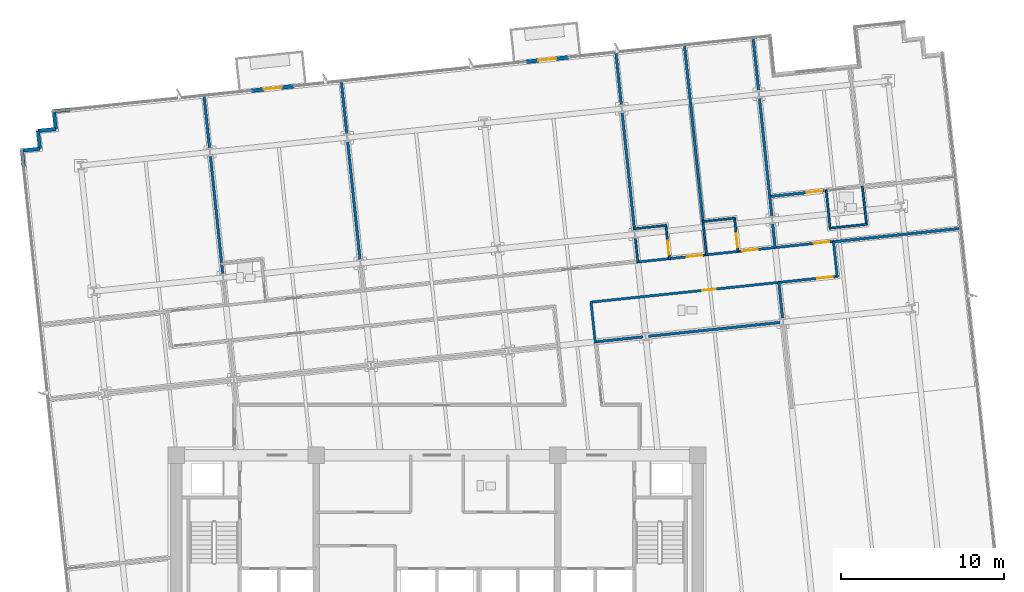
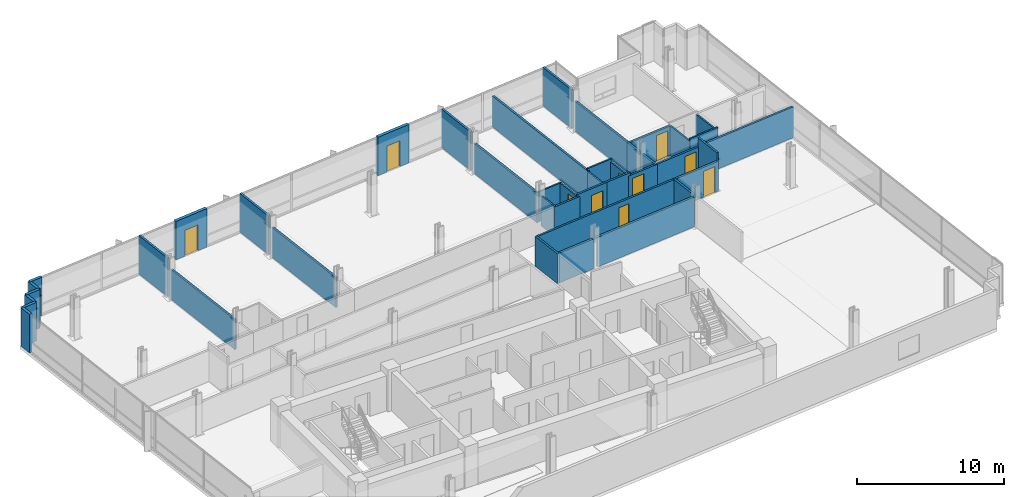
# One storey, part 15 of 20: 42 walls, 10 doors, 10 openings.
"""IFC4 building model written with IfcOpenShell, lengths in metres."""

from ifc_helpers import new_model, si_unit, direction, frame, frame_2d, origin, place, context, subcontext, project, spatial, rectangle, extrude, material, layer, layer_set, type_object, element, fill, save


model = new_model("IFC4")

# Units and contexts
model_context = context("Model", 3, precision=1e-05, world=origin(), true_north=direction((0.0, 1.0)))
body_context = subcontext(model_context, "Body", "Model", "MODEL_VIEW")
ifc_project = project(units=[si_unit("LENGTHUNIT", "METRE"), si_unit("AREAUNIT", "SQUARE_METRE"), si_unit("VOLUMEUNIT", "CUBIC_METRE"), si_unit("PLANEANGLEUNIT", "RADIAN"), si_unit("MASSUNIT", "GRAM", prefix="KILO")], contexts=[model_context])

# Site, building, storey
site_placement = place(None, origin())
site = spatial("IfcSite", under=ifc_project, at=site_placement, CompositionType="ELEMENT")
building_placement = place(site_placement, origin())
building = spatial("IfcBuilding", under=site, at=building_placement, Name="Solmavex Isthmus Hotel", CompositionType="ELEMENT")
storey_placement = place(building_placement, frame((0.0, 0.0, 109.800048828125)))
storey = spatial("IfcBuildingStorey", under=building, at=storey_placement, Name="L29", CompositionType="ELEMENT", Elevation=109.800048828125)

# Wall, opening, door
ifc_material_1 = material(Name="Precast Concrete C40/50", Category="concrete")
ifc_layer_1 = layer(ifc_material_1, 0.25)
ifc_layer_set_1 = layer_set([ifc_layer_1], Name="Precast Concrete C40/50")
wall_type_1 = type_object("IfcWallType", Name="EW-TWR-250", PredefinedType="STANDARD", material=ifc_layer_set_1)
wall_1_placement = place(storey_placement, frame((-11.374267578125, 19.859130859375, 0.0), z_axis=(0.0, 0.0, 1.0), x_axis=(0.994524472508, 0.104503940512, 0.0)))
wall_1 = element("IfcWall", 1, at=wall_1_placement, inside=storey, type_object=wall_type_1, Name="Exterior Balcony Door Wall L29-2", PredefinedType="STANDARD", context=body_context, shape_type="SweptSolid", body=[
    extrude(rectangle(XDim=2.60009765625, YDim=0.239990234375, at=frame_2d((1.300048828125, 0.0))), origin(), (0.0, 0.0, 1.0), 3.18994140625),
])
opening_1_placement = place(wall_1_placement, frame((0.75, 0.0, 0.0)))
opening_1 = element("IfcOpeningElement", 2, at=opening_1_placement, cuts=wall_1, Name="Opening ED-02", PredefinedType="OPENING", context=body_context, shape_type="SweptSolid", body=[
    extrude(rectangle(XDim=1.10009765625, YDim=2.14990234375, at=frame_2d((0.550048828125, 1.074951171875))), frame((0.0, 0.1298828125, 0.0), z_axis=(0.0, -1.0, 0.0), x_axis=(1.0, 0.0, 0.0)), (0.0, 0.0, 1.0), 0.260009765625),
])
ifc_material_2 = material(Name="Aluminium alloy 6063-T6", Category="aluminium")
door_type_1 = type_object("IfcDoorType", Name="EDR-BALC-1100", OperationType="NOTDEFINED", PredefinedType="DOOR", material=ifc_material_2)
door_1_placement = place(opening_1_placement, origin())
door_1 = element("IfcDoor", 3, at=door_1_placement, inside=storey, type_object=door_type_1, Name="Balcony & Terrace Glazed Door L29-2", OperationType="SINGLE_SWING_RIGHT", OverallHeight=2.14990234375, OverallWidth=1.10009765625, PredefinedType="DOOR", context=body_context, shape_type="SweptSolid", body=[
    extrude(rectangle(XDim=1.10009765625, YDim=2.14990234375, at=frame_2d((0.550048828125, 1.074951171875))), frame((0.0, 0.02490234375, 0.0), z_axis=(0.0, -1.0, 0.0), x_axis=(1.0, 0.0, 0.0)), (0.0, 0.0, 1.0), 0.050048828125),
])
fill(opening_1, door_1)

wall_2_placement = place(storey_placement, frame((5.465087890625, 21.629150390625, 0.0), z_axis=(0.0, 0.0, 1.0), x_axis=(0.994523446942, 0.104513699976, 0.0)))
wall_2 = element("IfcWall", 4, at=wall_2_placement, inside=storey, type_object=wall_type_1, Name="Exterior Balcony Door Wall L29-3", PredefinedType="STANDARD", context=body_context, shape_type="SweptSolid", body=[
    extrude(rectangle(XDim=2.599853515625, YDim=0.239990234375, at=frame_2d((1.2998046875, 0.0))), origin(), (0.0, 0.0, 1.0), 3.18994140625),
])
opening_2_placement = place(wall_2_placement, frame((0.75, 0.0, 0.0)))
opening_2 = element("IfcOpeningElement", 5, at=opening_2_placement, cuts=wall_2, Name="Opening ED-02", PredefinedType="OPENING", context=body_context, shape_type="SweptSolid", body=[
    extrude(rectangle(XDim=1.10009765625, YDim=2.14990234375, at=frame_2d((0.550048828125, 1.074951171875))), frame((0.0, 0.1298828125, 0.0), z_axis=(0.0, -1.0, 0.0), x_axis=(1.0, 0.0, 0.0)), (0.0, 0.0, 1.0), 0.260009765625),
])
door_2_placement = place(opening_2_placement, origin())
door_2 = element("IfcDoor", 6, at=door_2_placement, inside=storey, type_object=door_type_1, Name="Balcony & Terrace Glazed Door L29-3", OperationType="SINGLE_SWING_LEFT", OverallHeight=2.14990234375, OverallWidth=1.10009765625, PredefinedType="DOOR", context=body_context, shape_type="SweptSolid", body=[
    extrude(rectangle(XDim=1.10009765625, YDim=2.14990234375, at=frame_2d((0.550048828125, 1.074951171875))), frame((0.0, 0.02490234375, 0.0), z_axis=(0.0, -1.0, 0.0), x_axis=(1.0, 0.0, 0.0)), (0.0, 0.0, 1.0), 0.050048828125),
])
fill(opening_2, door_2)

# Walls
wall_3_placement = place(storey_placement, frame((-25.35400390625, 15.1923828125, 0.0), z_axis=(0.0, 0.0, 1.0), x_axis=(-0.104556418955, 0.99451895671, 0.0)))
element("IfcWall", 7, at=wall_3_placement, inside=storey, type_object=wall_type_1, Name="Serrated Corner Facade Panel L29-07", PredefinedType="STANDARD", context=body_context, shape_type="SweptSolid", body=[
    extrude(rectangle(XDim=0.989990234375, YDim=0.219970703125, at=frame_2d((0.4951171875, 0.0))), origin(), (0.0, 0.0, 1.0), 3.18994140625),
])
wall_4_placement = place(storey_placement, frame((-25.45751953125, 16.177001953125, 0.0), z_axis=(0.0, 0.0, 1.0), x_axis=(0.994521251134, 0.104534592565, 0.0)))
element("IfcWall", 8, at=wall_4_placement, inside=storey, type_object=wall_type_1, Name="Serrated Corner Facade Panel L29-08", PredefinedType="STANDARD", context=body_context, shape_type="SweptSolid", body=[
    extrude(rectangle(XDim=1.10009765625, YDim=0.219970703125, at=frame_2d((0.550048828125, 0.0))), origin(), (0.0, 0.0, 1.0), 3.18994140625),
])
wall_5_placement = place(storey_placement, frame((-24.363525390625, 16.2919921875, 0.0), z_axis=(0.0, 0.0, 1.0), x_axis=(-0.104557671117, 0.994518825066, 0.0)))
element("IfcWall", 9, at=wall_5_placement, inside=storey, type_object=wall_type_1, Name="Serrated Corner Facade Panel L29-09", PredefinedType="STANDARD", context=body_context, shape_type="SweptSolid", body=[
    extrude(rectangle(XDim=1.099853515625, YDim=0.219970703125, at=frame_2d((0.5498046875, 0.0))), origin(), (0.0, 0.0, 1.0), 3.18994140625),
])
for number, where, z_axis, x_axis, name in (
    (10, (-24.478515625, 17.3857421875, 0.0), (0.0, 0.0, 1.0), (0.994521251134, 0.104534592565, 0.0), "Serrated Corner Facade Panel L29-10"),
    (11, (-23.384521484375, 17.500732421875, 0.0), (0.0, 0.0, 1.0), (-0.104534592565, 0.994521251134, 0.0), "Serrated Corner Facade Panel L29-11"),
):
    element("IfcWall", number, at=place(storey_placement, frame(where, z_axis=z_axis, x_axis=x_axis)), inside=storey, type_object=wall_type_1, Name=name, PredefinedType="STANDARD", context=body_context, shape_type="SweptSolid", body=[
        extrude(rectangle(XDim=1.10009765625, YDim=0.219970703125, at=frame_2d((0.550048828125, 0.0))), origin(), (0.0, 0.0, 1.0), 3.18994140625),
    ])
wall_6_placement = place(storey_placement, frame((-23.49951171875, 18.5947265625, 0.0), z_axis=(0.0, 0.0, 1.0), x_axis=(0.99451895671, 0.104556418955, 0.0)))
element("IfcWall", 12, at=wall_6_placement, inside=storey, type_object=wall_type_1, Name="Serrated Corner Facade Panel L29-12", PredefinedType="STANDARD", context=body_context, shape_type="SweptSolid", body=[
    extrude(rectangle(XDim=0.989990234375, YDim=0.219970703125, at=frame_2d((0.4951171875, 0.0))), origin(), (0.0, 0.0, 1.0), 3.18994140625),
])
ifc_material_3 = material(Name="Gypsum plasterboard lining", Category="gypsum")
ifc_layer_2 = layer(ifc_material_3, 0.159912109375)
ifc_layer_set_2 = layer_set([ifc_layer_2], Name="Gypsum plasterboard lining")
wall_type_2 = type_object("IfcWallType", Name="IW-COMP-160", PredefinedType="PARTITIONING", material=ifc_layer_set_2)
wall_7_placement = place(storey_placement, frame((-14.29541015625, 19.59228515625, 0.0), z_axis=(0.0, 0.0, 1.0), x_axis=(0.10455555946, -0.99451904707, 0.0)))
element("IfcWall", 13, at=wall_7_placement, inside=storey, type_object=wall_type_2, Name="Interior Partition Wall W-L29-P024", PredefinedType="PARTITIONING", context=body_context, shape_type="SweptSolid", body=[
    extrude(rectangle(XDim=3.34375, YDim=0.159912109375, at=frame_2d((1.671875, 0.0))), origin(), (0.0, 0.0, 1.0), 3.18994140625),
])
wall_8_placement = place(storey_placement, frame((-13.908935546875, 15.91650390625, 0.0), z_axis=(0.0, 0.0, 1.0), x_axis=(0.104523341075, -0.994522433719, 0.0)))
element("IfcWall", 14, at=wall_8_placement, inside=storey, type_object=wall_type_2, Name="Interior Partition Wall W-L29-P025", PredefinedType="PARTITIONING", context=body_context, shape_type="SweptSolid", body=[
    extrude(rectangle(XDim=7.399658203125, YDim=0.159912109375, at=frame_2d((3.69970703125, 0.0))), origin(), (0.0, 0.0, 1.0), 2.4794921875),
])
wall_9_placement = place(storey_placement, frame((-5.875732421875, 20.477294921875, 0.0), z_axis=(0.0, 0.0, 1.0), x_axis=(0.10455555946, -0.99451904707, 0.0)))
element("IfcWall", 15, at=wall_9_placement, inside=storey, type_object=wall_type_2, Name="Interior Partition Wall W-L29-P030", PredefinedType="PARTITIONING", context=body_context, shape_type="SweptSolid", body=[
    extrude(rectangle(XDim=3.34375, YDim=0.159912109375, at=frame_2d((1.671875, 0.0))), origin(), (0.0, 0.0, 1.0), 3.18994140625),
])
wall_10_placement = place(storey_placement, frame((-5.4892578125, 16.80126953125, 0.0), z_axis=(0.0, 0.0, 1.0), x_axis=(0.104526770886, -0.994522073243, 0.0)))
element("IfcWall", 16, at=wall_10_placement, inside=storey, type_object=wall_type_2, Name="Interior Partition Wall W-L29-P031", PredefinedType="PARTITIONING", context=body_context, shape_type="SweptSolid", body=[
    extrude(rectangle(XDim=7.3994140625, YDim=0.159912109375, at=frame_2d((3.69970703125, 0.0))), origin(), (0.0, 0.0, 1.0), 2.4794921875),
])
wall_11_placement = place(storey_placement, frame((10.963623046875, 22.2470703125, 0.0), z_axis=(0.0, 0.0, 1.0), x_axis=(0.10448334315, -0.994526636649, 0.0)))
element("IfcWall", 17, at=wall_11_placement, inside=storey, type_object=wall_type_2, Name="Interior Partition Wall W-L29-P033", PredefinedType="PARTITIONING", context=body_context, shape_type="SweptSolid", body=[
    extrude(rectangle(XDim=3.34375, YDim=0.159912109375, at=frame_2d((1.671875, 0.0))), origin(), (0.0, 0.0, 1.0), 3.18994140625),
])
wall_12_placement = place(storey_placement, frame((11.349853515625, 18.5712890625, 0.0), z_axis=(0.0, 0.0, 1.0), x_axis=(0.104528227088, -0.994521920192, 0.0)))
element("IfcWall", 18, at=wall_12_placement, inside=storey, type_object=wall_type_2, Name="Interior Partition Wall W-L29-P034", PredefinedType="PARTITIONING", context=body_context, shape_type="SweptSolid", body=[
    extrude(rectangle(XDim=7.305908203125, YDim=0.159912109375, at=frame_2d((3.65283203125, 0.0))), origin(), (0.0, 0.0, 1.0), 2.4794921875),
])
wall_13_placement = place(storey_placement, frame((15.17333984375, 22.689697265625, 0.0), z_axis=(0.0, 0.0, 1.0), x_axis=(0.104538084805, -0.994520884057, 0.0)))
element("IfcWall", 19, at=wall_13_placement, inside=storey, type_object=wall_type_2, Name="Interior Partition Wall W-L29-P038", PredefinedType="PARTITIONING", context=body_context, shape_type="SweptSolid", body=[
    extrude(rectangle(XDim=11.002197265625, YDim=0.159912109375, at=frame_2d((5.5009765625, 0.0))), origin(), (0.0, 0.0, 1.0), 2.55322265625),
])
wall_14_placement = place(storey_placement, frame((20.4013671875, 13.445556640625, 0.0), z_axis=(0.0, 0.0, 1.0), x_axis=(0.104441069102, -0.994531076983, 0.0)))
element("IfcWall", 20, at=wall_14_placement, inside=storey, type_object=wall_type_2, Name="Interior Partition Wall W-L29-P042", PredefinedType="PARTITIONING", context=body_context, shape_type="SweptSolid", body=[
    extrude(rectangle(XDim=1.355712890625, YDim=0.159912109375, at=frame_2d((0.677734375, 0.0))), origin(), (0.0, 0.0, 1.0), 2.4794921875),
])
wall_15_placement = place(storey_placement, frame((20.579833984375, 11.74658203125, 0.0), z_axis=(0.0, 0.0, 1.0), x_axis=(0.104578999325, -0.994516582516, 0.0)))
element("IfcWall", 21, at=wall_15_placement, inside=storey, type_object=wall_type_2, Name="Interior Partition Wall W-L29-P043", PredefinedType="PARTITIONING", context=body_context, shape_type="SweptSolid", body=[
    extrude(rectangle(XDim=1.561767578125, YDim=0.159912109375, at=frame_2d((0.78076171875, 0.0))), origin(), (0.0, 0.0, 1.0), 2.4794921875),
])
wall_16_placement = place(storey_placement, frame((19.383056640625, 23.132080078125, 0.0), z_axis=(0.0, 0.0, 1.0), x_axis=(0.10455555946, -0.99451904707, 0.0)))
element("IfcWall", 22, at=wall_16_placement, inside=storey, type_object=wall_type_2, Name="Interior Partition Wall W-L29-P044", PredefinedType="PARTITIONING", context=body_context, shape_type="SweptSolid", body=[
    extrude(rectangle(XDim=3.34375, YDim=0.159912109375, at=frame_2d((1.671875, 0.0))), origin(), (0.0, 0.0, 1.0), 3.18994140625),
])
wall_17_placement = place(storey_placement, frame((19.76953125, 19.456298828125, 0.0), z_axis=(0.0, 0.0, 1.0), x_axis=(0.104533290466, -0.994521387997, 0.0)))
element("IfcWall", 23, at=wall_17_placement, inside=storey, type_object=wall_type_2, Name="Interior Partition Wall W-L29-P045", PredefinedType="PARTITIONING", context=body_context, shape_type="SweptSolid", body=[
    extrude(rectangle(XDim=6.207763671875, YDim=0.159912109375, at=frame_2d((3.10400390625, 0.0))), origin(), (0.0, 0.0, 1.0), 2.4794921875),
])

# Wall, opening, door
wall_18_placement = place(storey_placement, frame((20.3701171875, 13.35986328125, 0.0), z_axis=(0.0, 0.0, 1.0), x_axis=(0.994528326067, 0.104467261141, 0.0)))
wall_18 = element("IfcWall", 24, at=wall_18_placement, inside=storey, type_object=wall_type_2, Name="Interior Partition Wall W-L29-P046", PredefinedType="PARTITIONING", context=body_context, shape_type="SweptSolid", body=[
    extrude(rectangle(XDim=3.56396484375, YDim=0.159912109375, at=frame_2d((1.781982421875, 0.0))), origin(), (0.0, 0.0, 1.0), 2.4794921875),
])
opening_3_placement = place(wall_18_placement, frame((2.331298828125, 0.0, 0.0)))
opening_3 = element("IfcOpeningElement", 25, at=opening_3_placement, cuts=wall_18, Name="Opening ID-C095", PredefinedType="OPENING", context=body_context, shape_type="SweptSolid", body=[
    extrude(rectangle(XDim=0.949951171875, YDim=2.14990234375, at=frame_2d((0.47509765625, 1.074951171875))), frame((0.0, 0.08984375, 0.0), z_axis=(0.0, -1.0, 0.0), x_axis=(1.0, 0.0, 0.0)), (0.0, 0.0, 1.0), 0.179931640625),
])
ifc_material_4 = material(Name="Hardwood timber", Category="wood")
door_type_2 = type_object("IfcDoorType", Name="IDR-FD60-0950", OperationType="NOTDEFINED", PredefinedType="DOOR", material=ifc_material_4)
door_3_placement = place(opening_3_placement, origin())
door_3 = element("IfcDoor", 26, at=door_3_placement, inside=storey, type_object=door_type_2, Name="Ambassador Panorama Suite Master Bedroom Door L29-10", OperationType="SINGLE_SWING_RIGHT", OverallHeight=2.14990234375, OverallWidth=0.949951171875, PredefinedType="DOOR", context=body_context, shape_type="SweptSolid", body=[
    extrude(rectangle(XDim=0.949951171875, YDim=2.14990234375, at=frame_2d((0.47509765625, 1.074951171875))), frame((0.0, 0.02490234375, 0.0), z_axis=(0.0, -1.0, 0.0), x_axis=(1.0, 0.0, 0.0)), (0.0, 0.0, 1.0), 0.050048828125),
])
fill(opening_3, door_3)

# Walls
wall_19_placement = place(storey_placement, frame((32.166015625, 11.4140625, 0.0), z_axis=(0.0, 0.0, 1.0), x_axis=(-0.994522987852, -0.104518068455, 0.0)))
element("IfcWall", 27, at=wall_19_placement, inside=storey, type_object=wall_type_2, Name="Interior Partition Wall W-L29-P051", PredefinedType="PARTITIONING", context=body_context, shape_type="SweptSolid", body=[
    extrude(rectangle(XDim=7.927978515625, YDim=0.159912109375, at=frame_2d((3.9638671875, 0.0))), origin(), (0.0, 0.0, 1.0), 2.55322265625),
])
wall_20_placement = place(storey_placement, frame((20.95947265625, 8.134765625, 0.0), z_axis=(0.0, 0.0, 1.0), x_axis=(0.104558463094, -0.994518741802, 0.0)))
element("IfcWall", 28, at=wall_20_placement, inside=storey, type_object=wall_type_2, Name="Interior Partition Wall W-L29-P054", PredefinedType="PARTITIONING", context=body_context, shape_type="SweptSolid", body=[
    extrude(rectangle(XDim=2.31396484375, YDim=0.159912109375, at=frame_2d((1.156982421875, 0.0))), origin(), (0.0, 0.0, 1.0), 2.4794921875),
])
wall_21_placement = place(storey_placement, frame((12.625, 4.755126953125, 0.0), z_axis=(0.0, 0.0, 1.0), x_axis=(-0.994518476722, -0.1045609844, 0.0)))
element("IfcWall", 29, at=wall_21_placement, inside=storey, type_object=wall_type_2, Name="Interior Partition Wall W-L29-P055", PredefinedType="PARTITIONING", context=body_context, shape_type="SweptSolid", body=[
    extrude(rectangle(XDim=2.97705078125, YDim=0.159912109375, at=frame_2d((1.488525390625, 0.0))), origin(), (0.0, 0.0, 1.0), 2.4794921875),
])
wall_22_placement = place(storey_placement, frame((21.04443359375, 5.639892578125, 0.0), z_axis=(0.0, 0.0, 1.0), x_axis=(-0.994521269983, -0.104534413238, 0.0)))
element("IfcWall", 30, at=wall_22_placement, inside=storey, type_object=wall_type_2, Name="Interior Partition Wall W-L29-P056", PredefinedType="PARTITIONING", context=body_context, shape_type="SweptSolid", body=[
    extrude(rectangle(XDim=8.113525390625, YDim=0.159912109375, at=frame_2d((4.056640625, 0.0))), origin(), (0.0, 0.0, 1.0), 2.4794921875),
])

# Wall, opening, door
ifc_layer_3 = layer(ifc_material_3, 0.14990234375)
ifc_layer_set_3 = layer_set([ifc_layer_3], Name="Gypsum plasterboard lining")
wall_type_3 = type_object("IfcWallType", Name="IW-CORR-150", PredefinedType="PARTITIONING", material=ifc_layer_set_3)
wall_23_placement = place(storey_placement, frame((14.17431640625, 9.543212890625, 0.0), z_axis=(0.0, 0.0, 1.0), x_axis=(0.99452018747, 0.10454471156, 0.0)))
wall_23 = element("IfcWall", 31, at=wall_23_placement, inside=storey, type_object=wall_type_3, Name="Interior Partition Wall W-L29-P005", PredefinedType="PARTITIONING", context=body_context, shape_type="SweptSolid", body=[
    extrude(rectangle(XDim=2.44970703125, YDim=0.14990234375, at=frame_2d((1.224853515625, 0.0))), origin(), (0.0, 0.0, 1.0), 2.718017578125),
])
opening_4_placement = place(wall_23_placement, frame((1.14794921875, 0.0, 0.0)))
opening_4 = element("IfcOpeningElement", 32, at=opening_4_placement, cuts=wall_23, Name="Opening ID-C095", PredefinedType="OPENING", context=body_context, shape_type="SweptSolid", body=[
    extrude(rectangle(XDim=0.949951171875, YDim=2.14990234375, at=frame_2d((0.47509765625, 1.074951171875))), frame((0.0, 0.0849609375, 0.0), z_axis=(0.0, -1.0, 0.0), x_axis=(1.0, 0.0, 0.0)), (0.0, 0.0, 1.0), 0.169921875),
])
door_4_placement = place(opening_4_placement, frame((0.949951171875, 0.0, 0.0), z_axis=(0.0, 0.0, 1.0), x_axis=(-1.0, 0.0, 0.0)))
door_4 = element("IfcDoor", 33, at=door_4_placement, inside=storey, type_object=door_type_2, Name="Club Twin Room Door L29-05", OperationType="SINGLE_SWING_LEFT", OverallHeight=2.14990234375, OverallWidth=0.949951171875, PredefinedType="DOOR", context=body_context, shape_type="SweptSolid", body=[
    extrude(rectangle(XDim=0.949951171875, YDim=2.14990234375, at=frame_2d((0.47509765625, 1.074951171875))), frame((0.0, 0.02490234375, 0.0), z_axis=(0.0, -1.0, 0.0), x_axis=(1.0, 0.0, 0.0)), (0.0, 0.0, 1.0), 0.050048828125),
])
fill(opening_4, door_4)

# Wall
wall_24_placement = place(storey_placement, frame((12.23779296875, 9.339599609375, 0.0), z_axis=(0.0, 0.0, 1.0), x_axis=(0.994520650134, 0.1045403102, 0.0)))
element("IfcWall", 34, at=wall_24_placement, inside=storey, type_object=wall_type_3, Name="Interior Partition Wall W-L29-P006", PredefinedType="PARTITIONING", context=body_context, shape_type="SweptSolid", body=[
    extrude(rectangle(XDim=2.111083984375, YDim=0.14990234375, at=frame_2d((1.0556640625, 0.0))), origin(), (0.0, 0.0, 1.0), 2.4794921875),
])

# Wall, opening, door
wall_25_placement = place(storey_placement, frame((18.384033203125, 9.985595703125, 0.0), z_axis=(0.0, 0.0, 1.0), x_axis=(0.994521276566, 0.104534350613, 0.0)))
wall_25 = element("IfcWall", 35, at=wall_25_placement, inside=storey, type_object=wall_type_3, Name="Interior Partition Wall W-L29-P007", PredefinedType="PARTITIONING", context=body_context, shape_type="SweptSolid", body=[
    extrude(rectangle(XDim=2.449951171875, YDim=0.14990234375, at=frame_2d((1.22509765625, 0.0))), origin(), (0.0, 0.0, 1.0), 2.4794921875),
])
opening_5_placement = place(wall_25_placement, frame((0.351806640625, 0.0, 0.0)))
opening_5 = element("IfcOpeningElement", 36, at=opening_5_placement, cuts=wall_25, Name="Opening ID-C095", PredefinedType="OPENING", context=body_context, shape_type="SweptSolid", body=[
    extrude(rectangle(XDim=0.949951171875, YDim=2.14990234375, at=frame_2d((0.47509765625, 1.074951171875))), frame((0.0, 0.0849609375, 0.0), z_axis=(0.0, -1.0, 0.0), x_axis=(1.0, 0.0, 0.0)), (0.0, 0.0, 1.0), 0.169921875),
])
door_5_placement = place(opening_5_placement, frame((0.949951171875, 0.0, 0.0), z_axis=(0.0, 0.0, 1.0), x_axis=(-1.0, 0.0, 0.0)))
door_5 = element("IfcDoor", 37, at=door_5_placement, inside=storey, type_object=door_type_2, Name="Deluxe Guest Room Door L29-07", OperationType="SINGLE_SWING_LEFT", OverallHeight=2.14990234375, OverallWidth=0.949951171875, PredefinedType="DOOR", context=body_context, shape_type="SweptSolid", body=[
    extrude(rectangle(XDim=0.949951171875, YDim=2.14990234375, at=frame_2d((0.47509765625, 1.074951171875))), frame((0.0, 0.02490234375, 0.0), z_axis=(0.0, -1.0, 0.0), x_axis=(1.0, 0.0, 0.0)), (0.0, 0.0, 1.0), 0.050048828125),
])
fill(opening_5, door_5)

# Wall
wall_26_placement = place(storey_placement, frame((16.447509765625, 9.7822265625, 0.0), z_axis=(0.0, 0.0, 1.0), x_axis=(0.994520650134, 0.1045403102, 0.0)))
element("IfcWall", 38, at=wall_26_placement, inside=storey, type_object=wall_type_3, Name="Interior Partition Wall W-L29-P008", PredefinedType="PARTITIONING", context=body_context, shape_type="SweptSolid", body=[
    extrude(rectangle(XDim=2.111083984375, YDim=0.14990234375, at=frame_2d((1.0556640625, 0.0))), origin(), (0.0, 0.0, 1.0), 2.718017578125),
])

# Wall, opening, door
wall_27_placement = place(storey_placement, frame((20.657470703125, 10.224609375, 0.0), z_axis=(0.0, 0.0, 1.0), x_axis=(0.994518385036, 0.104561856457, 0.0)))
wall_27 = element("IfcWall", 39, at=wall_27_placement, inside=storey, type_object=wall_type_3, Name="Interior Partition Wall W-L29-P009", PredefinedType="PARTITIONING", context=body_context, shape_type="SweptSolid", body=[
    extrude(rectangle(XDim=3.721923828125, YDim=0.14990234375, at=frame_2d((1.86083984375, 0.0))), origin(), (0.0, 0.0, 1.0), 2.4794921875),
])
opening_6_placement = place(wall_27_placement, frame((2.456787109375, 0.0, 0.0)))
opening_6 = element("IfcOpeningElement", 40, at=opening_6_placement, cuts=wall_27, Name="Opening ID-C095", PredefinedType="OPENING", context=body_context, shape_type="SweptSolid", body=[
    extrude(rectangle(XDim=0.949951171875, YDim=2.14990234375, at=frame_2d((0.47509765625, 1.074951171875))), frame((0.0, 0.0849609375, 0.0), z_axis=(0.0, -1.0, 0.0), x_axis=(1.0, 0.0, 0.0)), (0.0, 0.0, 1.0), 0.169921875),
])
door_6_placement = place(opening_6_placement, frame((0.949951171875, 0.0, 0.0), z_axis=(0.0, 0.0, 1.0), x_axis=(-1.0, 0.0, 0.0)))
door_6 = element("IfcDoor", 41, at=door_6_placement, inside=storey, type_object=door_type_2, Name="Ambassador Panorama Suite Living Salon Door L29-09", OperationType="SINGLE_SWING_LEFT", OverallHeight=2.14990234375, OverallWidth=0.949951171875, PredefinedType="DOOR", context=body_context, shape_type="SweptSolid", body=[
    extrude(rectangle(XDim=0.949951171875, YDim=2.14990234375, at=frame_2d((0.47509765625, 1.074951171875))), frame((0.0, 0.02490234375, 0.0), z_axis=(0.0, -1.0, 0.0), x_axis=(1.0, 0.0, 0.0)), (0.0, 0.0, 1.0), 0.050048828125),
])
fill(opening_6, door_6)

wall_28_placement = place(storey_placement, frame((21.045166015625, 8.103515625, 0.0), z_axis=(0.0, 0.0, 1.0), x_axis=(-0.994521447183, -0.104532727376, 0.0)))
wall_28 = element("IfcWall", 42, at=wall_28_placement, inside=storey, type_object=wall_type_3, Name="Interior Partition Wall W-L29-P010", PredefinedType="PARTITIONING", context=body_context, shape_type="SweptSolid", body=[
    extrude(rectangle(XDim=11.701171875, YDim=0.14990234375, at=frame_2d((5.8505859375, 0.0))), origin(), (0.0, 0.0, 1.0), 2.4794921875),
])
opening_7_placement = place(wall_28_placement, frame((3.961181640625, 0.0, 0.0)))
opening_7 = element("IfcOpeningElement", 43, at=opening_7_placement, cuts=wall_28, Name="Opening ID-R085", PredefinedType="OPENING", context=body_context, shape_type="SweptSolid", body=[
    extrude(rectangle(XDim=0.85009765625, YDim=2.050048828125, at=frame_2d((0.425048828125, 1.02490234375))), frame((0.0, 0.0849609375, 0.0), z_axis=(0.0, -1.0, 0.0), x_axis=(1.0, 0.0, 0.0)), (0.0, 0.0, 1.0), 0.169921875),
])
ifc_material_5 = material(Name="Steel ASTM A500 Grade C", Category="steel")
door_type_3 = type_object("IfcDoorType", Name="IDR-FD60-0850", OperationType="NOTDEFINED", PredefinedType="DOOR", material=ifc_material_5)
door_7_placement = place(opening_7_placement, frame((0.85009765625, 0.0, 0.0), z_axis=(0.0, 0.0, 1.0), x_axis=(-1.0, 0.0, 0.0)))
door_7 = element("IfcDoor", 44, at=door_7_placement, inside=storey, type_object=door_type_3, Name="Public Restroom WC Door L29-13", OperationType="SINGLE_SWING_LEFT", OverallHeight=2.050048828125, OverallWidth=0.85009765625, PredefinedType="DOOR", context=body_context, shape_type="SweptSolid", body=[
    extrude(rectangle(XDim=0.85009765625, YDim=2.050048828125, at=frame_2d((0.425048828125, 1.02490234375))), frame((0.0, 0.02490234375, 0.0), z_axis=(0.0, -1.0, 0.0), x_axis=(1.0, 0.0, 0.0)), (0.0, 0.0, 1.0), 0.050048828125),
])
fill(opening_7, door_7)

# Walls
wall_29_placement = place(storey_placement, frame((9.44384765625, 6.92431640625, 0.0), z_axis=(0.0, 0.0, 1.0), x_axis=(0.104511838358, -0.994523642576, 0.0)))
element("IfcWall", 45, at=wall_29_placement, inside=storey, type_object=wall_type_3, Name="Interior Partition Wall W-L29-P011", PredefinedType="PARTITIONING", context=body_context, shape_type="SweptSolid", body=[
    extrude(rectangle(XDim=2.572021484375, YDim=0.14990234375, at=frame_2d((1.2861328125, 0.0))), origin(), (0.0, 0.0, 1.0), 2.4794921875),
])
wall_30_placement = place(storey_placement, frame((24.317138671875, 10.62939453125, 0.0), z_axis=(0.0, 0.0, 1.0), x_axis=(0.104500773718, -0.994524805267, 0.0)))
element("IfcWall", 46, at=wall_30_placement, inside=storey, type_object=wall_type_3, Name="Interior Partition Wall W-L29-P019", PredefinedType="PARTITIONING", context=body_context, shape_type="SweptSolid", body=[
    extrude(rectangle(XDim=2.210205078125, YDim=0.14990234375, at=frame_2d((1.10498046875, 0.0))), origin(), (0.0, 0.0, 1.0), 3.18994140625),
])

# Wall, opening, door
wall_31_placement = place(storey_placement, frame((24.583740234375, 8.475341796875, 0.0), z_axis=(0.0, 0.0, 1.0), x_axis=(-0.994525920558, -0.104490159046, 0.0)))
wall_31 = element("IfcWall", 47, at=wall_31_placement, inside=storey, type_object=wall_type_3, Name="Interior Partition Wall W-L29-P020", PredefinedType="PARTITIONING", context=body_context, shape_type="SweptSolid", body=[
    extrude(rectangle(XDim=3.721923828125, YDim=0.14990234375, at=frame_2d((1.86083984375, 0.0))), origin(), (0.0, 0.0, 1.0), 2.4794921875),
])
opening_8_placement = place(wall_31_placement, frame((0.315185546875, 0.0, 0.0)))
opening_8 = element("IfcOpeningElement", 48, at=opening_8_placement, cuts=wall_31, Name="Opening ID-C095", PredefinedType="OPENING", context=body_context, shape_type="SweptSolid", body=[
    extrude(rectangle(XDim=0.949951171875, YDim=2.14990234375, at=frame_2d((0.47509765625, 1.074951171875))), frame((0.0, 0.0849609375, 0.0), z_axis=(0.0, -1.0, 0.0), x_axis=(1.0, 0.0, 0.0)), (0.0, 0.0, 1.0), 0.169921875),
])
door_8_placement = place(opening_8_placement, frame((0.949951171875, 0.0, 0.0), z_axis=(0.0, 0.0, 1.0), x_axis=(-1.0, 0.0, 0.0)))
door_8 = element("IfcDoor", 49, at=door_8_placement, inside=storey, type_object=door_type_2, Name="Executive Hospitality Lounge Door L29-18", OperationType="SINGLE_SWING_RIGHT", OverallHeight=2.14990234375, OverallWidth=0.949951171875, PredefinedType="DOOR", context=body_context, shape_type="SweptSolid", body=[
    extrude(rectangle(XDim=0.949951171875, YDim=2.14990234375, at=frame_2d((0.47509765625, 1.074951171875))), frame((0.0, 0.02490234375, 0.0), z_axis=(0.0, -1.0, 0.0), x_axis=(1.0, 0.0, 0.0)), (0.0, 0.0, 1.0), 0.050048828125),
])
fill(opening_8, door_8)

# Wall
ifc_layer_4 = layer(ifc_material_3, 0.1201171875)
ifc_layer_set_4 = layer_set([ifc_layer_4], Name="Gypsum plasterboard lining")
wall_type_4 = type_object("IfcWallType", Name="IW-PART-120", PredefinedType="PARTITIONING", material=ifc_layer_set_4)
wall_32_placement = place(storey_placement, frame((12.16015625, 10.86181640625, 0.0), z_axis=(0.0, 0.0, 1.0), x_axis=(0.104562743548, -0.994518291768, 0.0)))
element("IfcWall", 50, at=wall_32_placement, inside=storey, type_object=wall_type_4, Name="Interior Partition Wall W-L29-P035", PredefinedType="PARTITIONING", context=body_context, shape_type="SweptSolid", body=[
    extrude(rectangle(XDim=1.56201171875, YDim=0.1201171875, at=frame_2d((0.781005859375, 0.0))), origin(), (0.0, 0.0, 1.0), 2.4794921875),
])

# Wall, opening, door
wall_33_placement = place(storey_placement, frame((14.260009765625, 9.511962890625, 0.0), z_axis=(0.0, 0.0, 1.0), x_axis=(-0.104529659321, 0.994521769657, 0.0)))
wall_33 = element("IfcWall", 51, at=wall_33_placement, inside=storey, type_object=wall_type_4, Name="Interior Partition Wall W-L29-P036", PredefinedType="PARTITIONING", context=body_context, shape_type="SweptSolid", body=[
    extrude(rectangle(XDim=2.130126953125, YDim=0.1201171875, at=frame_2d((1.06494140625, 0.0))), origin(), (0.0, 0.0, 1.0), 2.4794921875),
])
opening_9_placement = place(wall_33_placement, frame((0.295654296875, 0.0, 0.0)))
opening_9 = element("IfcOpeningElement", 52, at=opening_9_placement, cuts=wall_33, Name="Opening ID-U085", PredefinedType="OPENING", context=body_context, shape_type="SweptSolid", body=[
    extrude(rectangle(XDim=0.85009765625, YDim=2.10009765625, at=frame_2d((0.425048828125, 1.050048828125))), frame((0.0, 0.070068359375, 0.0), z_axis=(0.0, -1.0, 0.0), x_axis=(1.0, 0.0, 0.0)), (0.0, 0.0, 1.0), 0.14013671875),
])
door_type_4 = type_object("IfcDoorType", Name="IDR-UNR-0850", OperationType="NOTDEFINED", PredefinedType="DOOR", material=ifc_material_4)
door_9_placement = place(opening_9_placement, frame((0.85009765625, 0.0, 0.0), z_axis=(0.0, 0.0, 1.0), x_axis=(-1.0, 0.0, 0.0)))
door_9 = element("IfcDoor", 53, at=door_9_placement, inside=storey, type_object=door_type_4, Name="En-suite Bathroom Door L29-06", OperationType="SINGLE_SWING_RIGHT", OverallHeight=2.10009765625, OverallWidth=0.85009765625, PredefinedType="DOOR", context=body_context, shape_type="SweptSolid", body=[
    extrude(rectangle(XDim=0.85009765625, YDim=2.10009765625, at=frame_2d((0.425048828125, 1.050048828125))), frame((0.0, 0.02490234375, 0.0), z_axis=(0.0, -1.0, 0.0), x_axis=(1.0, 0.0, 0.0)), (0.0, 0.0, 1.0), 0.050048828125),
])
fill(opening_9, door_9)

# Walls
wall_34_placement = place(storey_placement, frame((14.081298828125, 11.5947265625, 0.0), z_axis=(0.0, 0.0, 1.0), x_axis=(-0.994521279075, -0.104534326742, 0.0)))
element("IfcWall", 54, at=wall_34_placement, inside=storey, type_object=wall_type_4, Name="Interior Partition Wall W-L29-P037", PredefinedType="PARTITIONING", context=body_context, shape_type="SweptSolid", body=[
    extrude(rectangle(XDim=2.027099609375, YDim=0.1201171875, at=frame_2d((1.013671875, 0.0))), origin(), (0.0, 0.0, 1.0), 2.4794921875),
])
wall_35_placement = place(storey_placement, frame((16.30615234375, 11.9111328125, 0.0), z_axis=(0.0, 0.0, 1.0), x_axis=(0.104532657405, -0.994521454538, 0.0)))
element("IfcWall", 55, at=wall_35_placement, inside=storey, type_object=wall_type_4, Name="Interior Partition Wall W-L29-P039", PredefinedType="PARTITIONING", context=body_context, shape_type="SweptSolid", body=[
    extrude(rectangle(XDim=2.172119140625, YDim=0.1201171875, at=frame_2d((1.0859375, 0.0))), origin(), (0.0, 0.0, 1.0), 2.4794921875),
])

# Wall, opening, door
wall_36_placement = place(storey_placement, frame((18.4697265625, 9.954345703125, 0.0), z_axis=(0.0, 0.0, 1.0), x_axis=(-0.104529659321, 0.994521769657, 0.0)))
wall_36 = element("IfcWall", 56, at=wall_36_placement, inside=storey, type_object=wall_type_4, Name="Interior Partition Wall W-L29-P040", PredefinedType="PARTITIONING", context=body_context, shape_type="SweptSolid", body=[
    extrude(rectangle(XDim=2.130126953125, YDim=0.1201171875, at=frame_2d((1.06494140625, 0.0))), origin(), (0.0, 0.0, 1.0), 2.4794921875),
])
opening_10_placement = place(wall_36_placement, frame((0.295654296875, 0.0, 0.0)))
opening_10 = element("IfcOpeningElement", 57, at=opening_10_placement, cuts=wall_36, Name="Opening ID-U085", PredefinedType="OPENING", context=body_context, shape_type="SweptSolid", body=[
    extrude(rectangle(XDim=0.85009765625, YDim=2.10009765625, at=frame_2d((0.425048828125, 1.050048828125))), frame((0.0, 0.070068359375, 0.0), z_axis=(0.0, -1.0, 0.0), x_axis=(1.0, 0.0, 0.0)), (0.0, 0.0, 1.0), 0.14013671875),
])
door_10_placement = place(opening_10_placement, origin())
door_10 = element("IfcDoor", 58, at=door_10_placement, inside=storey, type_object=door_type_4, Name="En-suite Bathroom Door L29-08", OperationType="SINGLE_SWING_RIGHT", OverallHeight=2.10009765625, OverallWidth=0.85009765625, PredefinedType="DOOR", context=body_context, shape_type="SweptSolid", body=[
    extrude(rectangle(XDim=0.85009765625, YDim=2.10009765625, at=frame_2d((0.425048828125, 1.050048828125))), frame((0.0, 0.02490234375, 0.0), z_axis=(0.0, -1.0, 0.0), x_axis=(1.0, 0.0, 0.0)), (0.0, 0.0, 1.0), 0.050048828125),
])
fill(opening_10, door_10)

# Walls
wall_37_placement = place(storey_placement, frame((18.291015625, 12.037109375, 0.0), z_axis=(0.0, 0.0, 1.0), x_axis=(-0.994519962835, -0.104546848461, 0.0)))
element("IfcWall", 59, at=wall_37_placement, inside=storey, type_object=wall_type_4, Name="Interior Partition Wall W-L29-P041", PredefinedType="PARTITIONING", context=body_context, shape_type="SweptSolid", body=[
    extrude(rectangle(XDim=2.02685546875, YDim=0.1201171875, at=frame_2d((1.013427734375, 0.0))), origin(), (0.0, 0.0, 1.0), 2.718017578125),
])
wall_38_placement = place(storey_placement, frame((23.870849609375, 13.767822265625, 0.0), z_axis=(0.0, 0.0, 1.0), x_axis=(0.100189204737, -0.994968403144, 0.0)))
element("IfcWall", 60, at=wall_38_placement, inside=storey, type_object=wall_type_4, Name="Interior Partition Wall W-L29-P048", PredefinedType="PARTITIONING", context=body_context, shape_type="SweptSolid", body=[
    extrude(rectangle(XDim=2.397705078125, YDim=0.1201171875, at=frame_2d((1.19873046875, 0.0))), origin(), (0.0, 0.0, 1.0), 2.4794921875),
])
wall_39_placement = place(storey_placement, frame((24.0673828125, 11.41748046875, 0.0), z_axis=(0.0, 0.0, 1.0), x_axis=(0.994516930255, 0.104575692382, 0.0)))
element("IfcWall", 61, at=wall_39_placement, inside=storey, type_object=wall_type_4, Name="Interior Partition Wall W-L29-P049", PredefinedType="PARTITIONING", context=body_context, shape_type="SweptSolid", body=[
    extrude(rectangle(XDim=2.329833984375, YDim=0.1201171875, at=frame_2d((1.1650390625, 0.0))), origin(), (0.0, 0.0, 1.0), 2.718017578125),
])
wall_40_placement = place(storey_placement, frame((26.34912109375, 11.6171875, 0.0), z_axis=(0.0, 0.0, 1.0), x_axis=(-0.108833483635, 0.994059994588, 0.0)))
element("IfcWall", 62, at=wall_40_placement, inside=storey, type_object=wall_type_4, Name="Interior Partition Wall W-L29-P050", PredefinedType="PARTITIONING", context=body_context, shape_type="SweptSolid", body=[
    extrude(rectangle(XDim=2.39794921875, YDim=0.1201171875, at=frame_2d((1.198974609375, 0.0))), origin(), (0.0, 0.0, 1.0), 2.4794921875),
])

save(model, "model.ifc")
